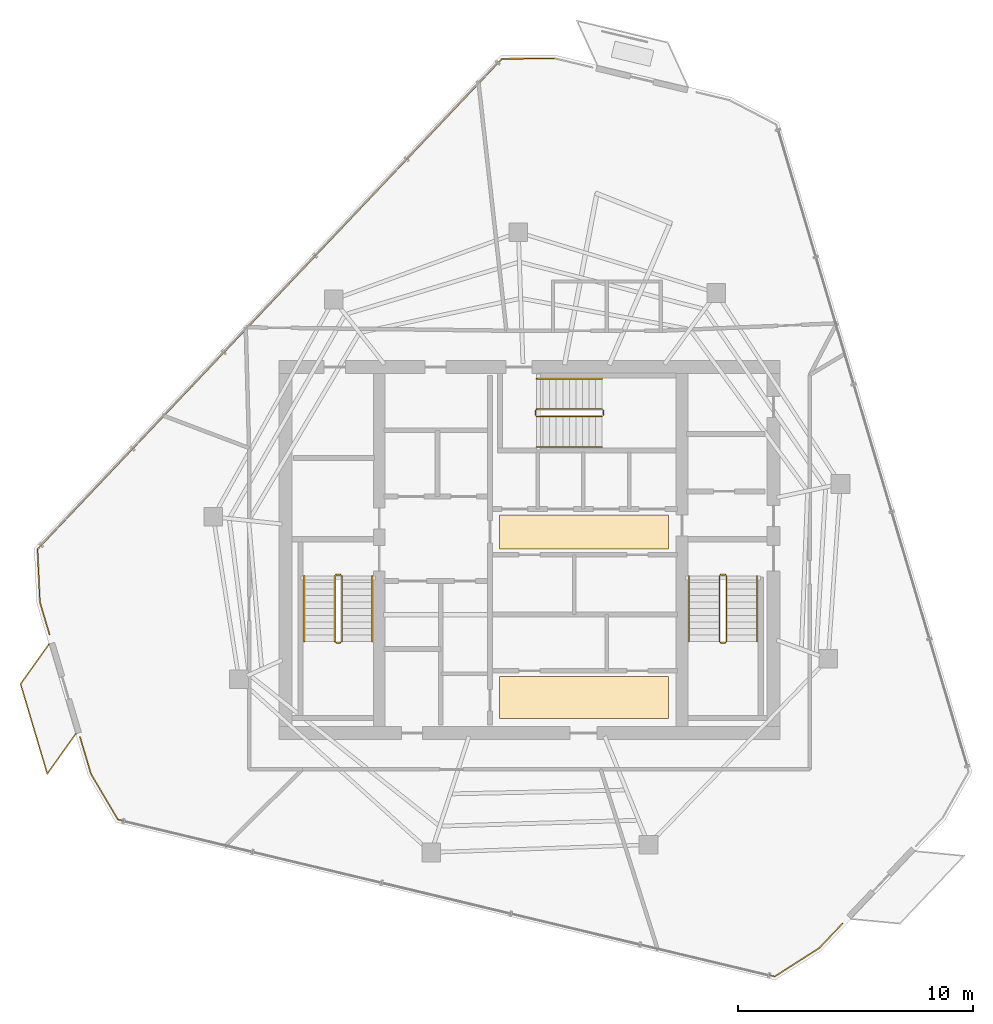
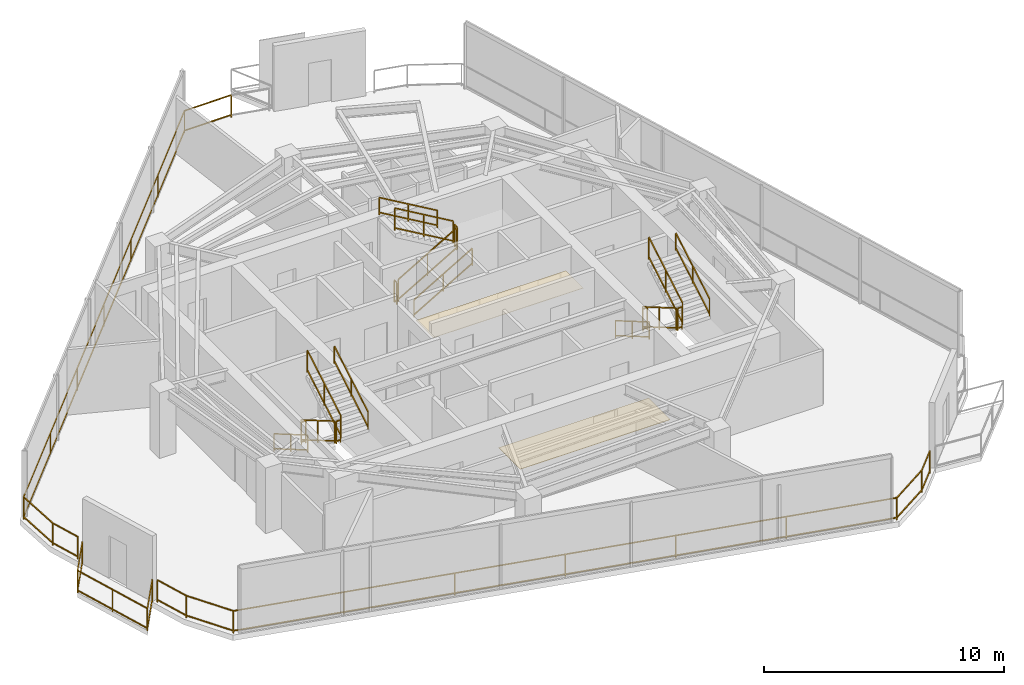
# One storey, part 17 of 18: 21 railings, 2 coverings.
"""IFC4 building model written with IfcOpenShell, lengths in metres."""

from ifc_helpers import new_model, si_unit, direction, frame, origin, origin_2d, place, context, subcontext, project, spatial, rectangle, extrude, material, layer, layer_set, type_object, element, save


model = new_model("IFC4")

# Units and contexts
model_context = context("Model", 3, precision=1e-05, world=origin(), true_north=direction((0.0, 1.0)))
body_context = subcontext(model_context, "Body", "Model", "MODEL_VIEW")
ifc_project = project(units=[si_unit("LENGTHUNIT", "METRE"), si_unit("AREAUNIT", "SQUARE_METRE"), si_unit("VOLUMEUNIT", "CUBIC_METRE"), si_unit("PLANEANGLEUNIT", "RADIAN"), si_unit("MASSUNIT", "GRAM", prefix="KILO")], contexts=[model_context])

# Site, building, storey
site_placement = place(None, origin())
site = spatial("IfcSite", under=ifc_project, at=site_placement, CompositionType="ELEMENT")
building_placement = place(site_placement, origin())
building = spatial("IfcBuilding", under=site, at=building_placement, Name="Qarnah Convention Tower", CompositionType="ELEMENT")
storey_placement = place(building_placement, frame((0.0, 0.0, 242.699951171875)))
storey = spatial("IfcBuildingStorey", under=building, at=storey_placement, Name="L65", CompositionType="ELEMENT", Elevation=242.699951171875)

# Coverings
ifc_material_1 = material(Name="Mineral fibre acoustic ceiling")
ifc_layer_1 = layer(ifc_material_1, 0.02001953125)
ifc_layer_set_1 = layer_set([ifc_layer_1], Name="Mineral fibre acoustic ceiling")
covering_type_1 = type_object("IfcCoveringType", Name="COV-CEIL-20", PredefinedType="CEILING", material=ifc_layer_set_1)
covering_1_placement = place(storey_placement, frame((39.52001953125, 27.179931640625, 2.2900390625), z_axis=(0.0, 0.0, 1.0), x_axis=(1.0, 0.0, 0.0)))
element("IfcCovering", 1, at=covering_1_placement, inside=storey, type_object=covering_type_1, Name="L65 lift lobby acoustic ceiling", PredefinedType="CEILING", context=body_context, shape_type="SweptSolid", body=[
    extrude(rectangle(XDim=7.199951171875, YDim=1.449951171875, at=origin_2d()), origin(), (0.0, 0.0, 1.0), 0.02001953125),
])
ifc_material_2 = material(Name="Porcelain stone floor tile", Category="masonry")
ifc_layer_2 = layer(ifc_material_2, 0.02001953125)
ifc_layer_set_2 = layer_set([ifc_layer_2], Name="Porcelain stone floor tile")
covering_type_2 = type_object("IfcCoveringType", Name="COV-FLOOR-20", PredefinedType="FLOORING", material=ifc_layer_set_2)
covering_2_placement = place(storey_placement, frame((39.52001953125, 20.1201171875, 0.0), z_axis=(0.0, 0.0, 1.0), x_axis=(1.0, 0.0, 0.0)))
element("IfcCovering", 2, at=covering_2_placement, inside=storey, type_object=covering_type_2, Name="L65 lift lobby porcelain stone flooring", PredefinedType="FLOORING", context=body_context, shape_type="SweptSolid", body=[
    extrude(rectangle(XDim=7.199951171875, YDim=1.800048828125, at=origin_2d()), origin(), (0.0, 0.0, 1.0), 0.02001953125),
])

# Railings
ifc_material_3 = material(Name="Black anodised aluminium", Category="aluminium")
railing_type_1 = type_object("IfcRailingType", Name="RL-EXT-GUARD-1150", PredefinedType="GUARDRAIL", material=ifc_material_3)
railing_1_placement = place(storey_placement, frame((50.54296875, 10.48193359375, 0.0)))
element("IfcRailing", 3, at=railing_1_placement, inside=storey, type_object=railing_type_1, Name="L65 slab-edge perimeter safety guard 03", PredefinedType="GUARDRAIL", context=body_context, shape_type="SweptSolid", body=[
    extrude(rectangle(XDim=0.048095703125, YDim=0.048095703125, at=origin_2d()), frame((0.0, 0.0, 1.1259765625), z_axis=(-0.687749356921, -0.725948222709, 0.0), x_axis=(0.725948222709, -0.687749356921, 0.0)), (0.0, 0.0, 1.0), 1.43798828125),
    extrude(rectangle(XDim=0.048095703125, YDim=0.048095703125, at=origin_2d()), frame((0.0, 0.0, 0.1201171875), z_axis=(-0.687749356921, -0.725948222709, 0.0), x_axis=(0.725948222709, -0.687749356921, 0.0)), (0.0, 0.0, 1.0), 1.43798828125),
    extrude(rectangle(XDim=0.048095703125, YDim=0.048095703125, at=origin_2d()), frame((-0.989013671875, -1.0439453125, 1.1259765625), z_axis=(-0.842884582221, -0.538094397902, 0.0), x_axis=(0.538094397902, -0.842884582221, 0.0)), (0.0, 0.0, 1.0), 2.254150390625),
    extrude(rectangle(XDim=0.048095703125, YDim=0.048095703125, at=origin_2d()), frame((-0.989013671875, -1.0439453125, 0.1201171875), z_axis=(-0.842884582221, -0.538094397902, 0.0), x_axis=(0.538094397902, -0.842884582221, 0.0)), (0.0, 0.0, 1.0), 2.254150390625),
    extrude(rectangle(XDim=0.048095703125, YDim=0.048095703125, at=origin_2d()), frame((-2.888916015625, -2.2568359375, 1.1259765625), z_axis=(-0.972616415456, 0.232416239503, 0.0), x_axis=(-0.232416239503, -0.972616415456, 0.0)), (0.0, 0.0, 1.0), 28.784423828125),
    extrude(rectangle(XDim=0.048095703125, YDim=0.048095703125, at=origin_2d()), frame((-2.888916015625, -2.2568359375, 0.1201171875), z_axis=(-0.972616415456, 0.232416239503, 0.0), x_axis=(-0.232416239503, -0.972616415456, 0.0)), (0.0, 0.0, 1.0), 28.784423828125),
    extrude(rectangle(XDim=0.048095703125, YDim=0.048095703125, at=origin_2d()), frame((-30.885009765625, 4.43310546875, 1.1259765625), z_axis=(-0.508430047028, 0.861103296521, 0.0), x_axis=(-0.861103296521, -0.508430047028, 0.0)), (0.0, 0.0, 1.0), 2.25390625),
    extrude(rectangle(XDim=0.048095703125, YDim=0.048095703125, at=origin_2d()), frame((-30.885009765625, 4.43310546875, 0.1201171875), z_axis=(-0.508430047028, 0.861103296521, 0.0), x_axis=(-0.861103296521, -0.508430047028, 0.0)), (0.0, 0.0, 1.0), 2.25390625),
    extrude(rectangle(XDim=0.048095703125, YDim=0.048095703125, at=origin_2d()), frame((-32.031005859375, 6.3740234375, 1.1259765625), z_axis=(-0.28492983675, 0.958548375477, 0.0), x_axis=(-0.958548375477, -0.28492983675, 0.0)), (0.0, 0.0, 1.0), 1.6494140625),
    extrude(rectangle(XDim=0.048095703125, YDim=0.048095703125, at=origin_2d()), frame((-32.031005859375, 6.3740234375, 0.1201171875), z_axis=(-0.28492983675, 0.958548375477, 0.0), x_axis=(-0.958548375477, -0.28492983675, 0.0)), (0.0, 0.0, 1.0), 1.6494140625),
    extrude(rectangle(XDim=0.0419921875, YDim=0.0419921875, at=origin_2d()), origin(), (0.0, 0.0, 1.0), 1.101806640625),
    extrude(rectangle(XDim=0.0419921875, YDim=0.0419921875, at=origin_2d()), frame((-0.989013671875, -1.0439453125, 0.0)), (0.0, 0.0, 1.0), 1.101806640625),
    extrude(rectangle(XDim=0.0419921875, YDim=0.0419921875, at=origin_2d()), frame((-2.888916015625, -2.2568359375, 0.0)), (0.0, 0.0, 1.0), 1.101806640625),
    extrude(rectangle(XDim=0.0419921875, YDim=0.0419921875, at=origin_2d()), frame((-7.554931640625, -1.141845703125, 0.0)), (0.0, 0.0, 1.0), 1.101806640625),
    extrude(rectangle(XDim=0.0419921875, YDim=0.0419921875, at=origin_2d()), frame((-12.220947265625, -0.02685546875, 0.0)), (0.0, 0.0, 1.0), 1.101806640625),
    extrude(rectangle(XDim=0.0419921875, YDim=0.0419921875, at=origin_2d()), frame((-16.886962890625, 1.088134765625, 0.0)), (0.0, 0.0, 1.0), 1.101806640625),
    extrude(rectangle(XDim=0.0419921875, YDim=0.0419921875, at=origin_2d()), frame((-21.552978515625, 2.203125, 0.0)), (0.0, 0.0, 1.0), 1.101806640625),
    extrude(rectangle(XDim=0.0419921875, YDim=0.0419921875, at=origin_2d()), frame((-26.218994140625, 3.318115234375, 0.0)), (0.0, 0.0, 1.0), 1.101806640625),
    extrude(rectangle(XDim=0.0419921875, YDim=0.0419921875, at=origin_2d()), frame((-30.885009765625, 4.43310546875, 0.0)), (0.0, 0.0, 1.0), 1.101806640625),
    extrude(rectangle(XDim=0.0419921875, YDim=0.0419921875, at=origin_2d()), frame((-32.031005859375, 6.3740234375, 0.0)), (0.0, 0.0, 1.0), 1.101806640625),
    extrude(rectangle(XDim=0.0419921875, YDim=0.0419921875, at=origin_2d()), frame((-32.5009765625, 7.955078125, 0.0)), (0.0, 0.0, 1.0), 1.101806640625),
])
railing_2_placement = place(storey_placement, frame((16.742919921875, 22.805908203125, 0.0)))
element("IfcRailing", 4, at=railing_2_placement, inside=storey, type_object=railing_type_1, Name="L65 slab-edge perimeter safety guard 04", PredefinedType="GUARDRAIL", context=body_context, shape_type="SweptSolid", body=[
    extrude(rectangle(XDim=0.048095703125, YDim=0.048095703125, at=origin_2d()), frame((0.0, 0.0, 1.1259765625), z_axis=(-0.284881574893, 0.958562720059, 0.0), x_axis=(-0.958562720059, -0.284881574893, 0.0)), (0.0, 0.0, 1.0), 1.435546875),
    extrude(rectangle(XDim=0.048095703125, YDim=0.048095703125, at=origin_2d()), frame((0.0, 0.0, 0.1201171875), z_axis=(-0.284881574893, 0.958562720059, 0.0), x_axis=(-0.958562720059, -0.284881574893, 0.0)), (0.0, 0.0, 1.0), 1.435546875),
    extrude(rectangle(XDim=0.048095703125, YDim=0.048095703125, at=origin_2d()), frame((-0.408935546875, 1.3759765625, 1.1259765625), z_axis=(-0.044832923855, 0.998994498953, 0.0), x_axis=(-0.998994498953, -0.044832923855, 0.0)), (0.0, 0.0, 1.0), 2.25439453125),
    extrude(rectangle(XDim=0.048095703125, YDim=0.048095703125, at=origin_2d()), frame((-0.408935546875, 1.3759765625, 0.1201171875), z_axis=(-0.044832923855, 0.998994498953, 0.0), x_axis=(-0.998994498953, -0.044832923855, 0.0)), (0.0, 0.0, 1.0), 2.25439453125),
    extrude(rectangle(XDim=0.048095703125, YDim=0.048095703125, at=origin_2d()), frame((-0.510009765625, 3.628173828125, 1.1259765625), z_axis=(0.68758277549, 0.726106002488, 0.0), x_axis=(-0.726106002488, 0.68758277549, 0.0)), (0.0, 0.0, 1.0), 28.784912109375),
    extrude(rectangle(XDim=0.048095703125, YDim=0.048095703125, at=origin_2d()), frame((-0.510009765625, 3.628173828125, 0.1201171875), z_axis=(0.68758277549, 0.726106002488, 0.0), x_axis=(-0.726106002488, 0.68758277549, 0.0)), (0.0, 0.0, 1.0), 28.784912109375),
    extrude(rectangle(XDim=0.048095703125, YDim=0.048095703125, at=origin_2d()), frame((19.281982421875, 24.529052734375, 1.1259765625), z_axis=(0.999956623653, 0.009314011658, 0.0), x_axis=(-0.009314011658, 0.999956623653, 0.0)), (0.0, 0.0, 1.0), 2.254150390625),
    extrude(rectangle(XDim=0.048095703125, YDim=0.048095703125, at=origin_2d()), frame((19.281982421875, 24.529052734375, 0.1201171875), z_axis=(0.999956623653, 0.009314011658, 0.0), x_axis=(-0.009314011658, 0.999956623653, 0.0)), (0.0, 0.0, 1.0), 2.254150390625),
    extrude(rectangle(XDim=0.0419921875, YDim=0.0419921875, at=origin_2d()), origin(), (0.0, 0.0, 1.0), 1.101806640625),
    extrude(rectangle(XDim=0.0419921875, YDim=0.0419921875, at=origin_2d()), frame((-0.408935546875, 1.3759765625, 0.0)), (0.0, 0.0, 1.0), 1.101806640625),
    extrude(rectangle(XDim=0.0419921875, YDim=0.0419921875, at=origin_2d()), frame((-0.510009765625, 3.628173828125, 0.0)), (0.0, 0.0, 1.0), 1.101806640625),
    extrude(rectangle(XDim=0.0419921875, YDim=0.0419921875, at=origin_2d()), frame((2.78857421875, 7.111572265625, 0.0)), (0.0, 0.0, 1.0), 1.101806640625),
    extrude(rectangle(XDim=0.0419921875, YDim=0.0419921875, at=origin_2d()), frame((6.08740234375, 10.59521484375, 0.0)), (0.0, 0.0, 1.0), 1.101806640625),
    extrude(rectangle(XDim=0.0419921875, YDim=0.0419921875, at=origin_2d()), frame((9.385986328125, 14.07861328125, 0.0)), (0.0, 0.0, 1.0), 1.101806640625),
    extrude(rectangle(XDim=0.0419921875, YDim=0.0419921875, at=origin_2d()), frame((12.6845703125, 17.56201171875, 0.0)), (0.0, 0.0, 1.0), 1.101806640625),
    extrude(rectangle(XDim=0.0419921875, YDim=0.0419921875, at=origin_2d()), frame((15.9833984375, 21.045654296875, 0.0)), (0.0, 0.0, 1.0), 1.101806640625),
    extrude(rectangle(XDim=0.0419921875, YDim=0.0419921875, at=origin_2d()), frame((19.281982421875, 24.529052734375, 0.0)), (0.0, 0.0, 1.0), 1.101806640625),
    extrude(rectangle(XDim=0.0419921875, YDim=0.0419921875, at=origin_2d()), frame((21.5361328125, 24.550048828125, 0.0)), (0.0, 0.0, 1.0), 1.101806640625),
])
railing_3_placement = place(storey_placement, frame((17.863037109375, 18.56396484375, 0.0)))
element("IfcRailing", 5, at=railing_3_placement, inside=storey, type_object=railing_type_1, Name="L65 balcony safety guard BAL-L65-C2", PredefinedType="GUARDRAIL", context=body_context, shape_type="SweptSolid", body=[
    extrude(rectangle(XDim=0.048095703125, YDim=0.048095703125, at=origin_2d()), frame((0.0, 0.0, 1.1259765625), z_axis=(-0.579814561549, -0.814748472975, 0.0), x_axis=(0.814748472975, -0.579814561549, 0.0)), (0.0, 0.0, 1.0), 2.093994140625),
    extrude(rectangle(XDim=0.048095703125, YDim=0.048095703125, at=origin_2d()), frame((0.0, 0.0, 0.1201171875), z_axis=(-0.579814561549, -0.814748472975, 0.0), x_axis=(0.814748472975, -0.579814561549, 0.0)), (0.0, 0.0, 1.0), 2.093994140625),
    extrude(rectangle(XDim=0.048095703125, YDim=0.048095703125, at=origin_2d()), frame((-1.214111328125, -1.7060546875, 1.1259765625), z_axis=(-0.284983909312, 0.958532300673, 0.0), x_axis=(-0.958532300673, -0.284983909312, 0.0)), (0.0, 0.0, 1.0), 3.999755859375),
    extrude(rectangle(XDim=0.048095703125, YDim=0.048095703125, at=origin_2d()), frame((-1.214111328125, -1.7060546875, 0.1201171875), z_axis=(-0.284983909312, 0.958532300673, 0.0), x_axis=(-0.958532300673, -0.284983909312, 0.0)), (0.0, 0.0, 1.0), 3.999755859375),
    extrude(rectangle(XDim=0.048095703125, YDim=0.048095703125, at=origin_2d()), frame((-2.35400390625, 2.1279296875, 1.1259765625), z_axis=(0.579737157834, 0.814803551678, 0.0), x_axis=(-0.814803551678, 0.579737157834, 0.0)), (0.0, 0.0, 1.0), 2.09375),
    extrude(rectangle(XDim=0.048095703125, YDim=0.048095703125, at=origin_2d()), frame((-2.35400390625, 2.1279296875, 0.1201171875), z_axis=(0.579737157834, 0.814803551678, 0.0), x_axis=(-0.814803551678, 0.579737157834, 0.0)), (0.0, 0.0, 1.0), 2.09375),
    extrude(rectangle(XDim=0.0419921875, YDim=0.0419921875, at=origin_2d()), origin(), (0.0, 0.0, 1.0), 1.101806640625),
    extrude(rectangle(XDim=0.0419921875, YDim=0.0419921875, at=origin_2d()), frame((-1.214111328125, -1.7060546875, 0.0)), (0.0, 0.0, 1.0), 1.101806640625),
    extrude(rectangle(XDim=0.0419921875, YDim=0.0419921875, at=origin_2d()), frame((-1.7841796875, 0.2109375, 0.0)), (0.0, 0.0, 1.0), 1.101806640625),
    extrude(rectangle(XDim=0.0419921875, YDim=0.0419921875, at=origin_2d()), frame((-2.35400390625, 2.1279296875, 0.0)), (0.0, 0.0, 1.0), 1.101806640625),
    extrude(rectangle(XDim=0.0419921875, YDim=0.0419921875, at=origin_2d()), frame((-1.14013671875, 3.833984375, 0.0)), (0.0, 0.0, 1.0), 1.101806640625),
])
ifc_material_4 = material(Name="Structural steel S355JR", Category="steel")
railing_type_2 = type_object("IfcRailingType", Name="RL-STAIR-GUARD-1150", PredefinedType="GUARDRAIL", material=ifc_material_4)
railing_4_placement = place(storey_placement, frame((28.89990234375, 25.300048828125, 0.16357421875)))
element("IfcRailing", 6, at=railing_4_placement, inside=storey, type_object=railing_type_2, Name="L65 ST-1 stair guard 1", PredefinedType="GUARDRAIL", context=body_context, shape_type="SweptSolid", body=[
    extrude(rectangle(XDim=0.048095703125, YDim=0.048095703125, at=origin_2d()), frame((0.0, 0.0, 1.1259765625), z_axis=(0.0, -0.863360870873, 0.504586966384), x_axis=(1.0, 0.0, 0.0)), (0.0, 0.0, 1.0), 3.2431640625),
    extrude(rectangle(XDim=0.048095703125, YDim=0.048095703125, at=origin_2d()), frame((0.0, 0.0, 0.1201171875), z_axis=(0.0, -0.863360870873, 0.504586966384), x_axis=(1.0, 0.0, 0.0)), (0.0, 0.0, 1.0), 3.2431640625),
    extrude(rectangle(XDim=0.0419921875, YDim=0.0419921875, at=origin_2d()), origin(), (0.0, 0.0, 1.0), 1.101806640625),
    extrude(rectangle(XDim=0.0419921875, YDim=0.0419921875, at=origin_2d()), frame((0.0, -1.39990234375, 0.818359375)), (0.0, 0.0, 1.0), 1.101806640625),
    extrude(rectangle(XDim=0.0419921875, YDim=0.0419921875, at=origin_2d()), frame((0.0, -2.800048828125, 1.636474609375)), (0.0, 0.0, 1.0), 1.101806640625),
])
railing_5_placement = place(storey_placement, frame((28.949951171875, 22.449951171875, 1.800048828125)))
element("IfcRailing", 7, at=railing_5_placement, inside=storey, type_object=railing_type_2, Name="L65 ST-1 stair guard 2", PredefinedType="GUARDRAIL", context=body_context, shape_type="SweptSolid", body=[
    extrude(rectangle(XDim=0.048095703125, YDim=0.048095703125, at=origin_2d()), frame((0.0, 0.0, 1.1259765625), z_axis=(1.0, 0.0, 0.0), x_axis=(0.0, 1.0, 0.0)), (0.0, 0.0, 1.0), 0.199951171875),
    extrude(rectangle(XDim=0.048095703125, YDim=0.048095703125, at=origin_2d()), frame((0.0, 0.0, 0.1201171875), z_axis=(1.0, 0.0, 0.0), x_axis=(0.0, 1.0, 0.0)), (0.0, 0.0, 1.0), 0.199951171875),
    extrude(rectangle(XDim=0.0419921875, YDim=0.0419921875, at=origin_2d()), origin(), (0.0, 0.0, 1.0), 1.101806640625),
    extrude(rectangle(XDim=0.0419921875, YDim=0.0419921875, at=origin_2d()), frame((0.199951171875, 0.0, 0.0)), (0.0, 0.0, 1.0), 1.101806640625),
])
railing_6_placement = place(storey_placement, frame((29.199951171875, 22.5, 1.963623046875)))
element("IfcRailing", 8, at=railing_6_placement, inside=storey, type_object=railing_type_2, Name="L65 ST-1 stair guard 3", PredefinedType="GUARDRAIL", context=body_context, shape_type="SweptSolid", body=[
    extrude(rectangle(XDim=0.048095703125, YDim=0.048095703125, at=origin_2d()), frame((0.0, 0.0, 1.1259765625), z_axis=(0.0, 0.863360870873, 0.504586966384), x_axis=(-1.0, 0.0, 0.0)), (0.0, 0.0, 1.0), 3.2431640625),
    extrude(rectangle(XDim=0.048095703125, YDim=0.048095703125, at=origin_2d()), frame((0.0, 0.0, 0.1201171875), z_axis=(0.0, 0.863360870873, 0.504586966384), x_axis=(-1.0, 0.0, 0.0)), (0.0, 0.0, 1.0), 3.2431640625),
    extrude(rectangle(XDim=0.0419921875, YDim=0.0419921875, at=origin_2d()), origin(), (0.0, 0.0, 1.0), 1.101806640625),
    extrude(rectangle(XDim=0.0419921875, YDim=0.0419921875, at=origin_2d()), frame((0.0, 1.39990234375, 0.818359375)), (0.0, 0.0, 1.0), 1.101806640625),
    extrude(rectangle(XDim=0.0419921875, YDim=0.0419921875, at=origin_2d()), frame((0.0, 2.800048828125, 1.636474609375)), (0.0, 0.0, 1.0), 1.101806640625),
])
railing_7_placement = place(storey_placement, frame((28.949951171875, 25.35009765625, 0.0)))
element("IfcRailing", 9, at=railing_7_placement, inside=storey, type_object=railing_type_2, Name="L65 ST-1 stair guard 4", PredefinedType="GUARDRAIL", context=body_context, shape_type="SweptSolid", body=[
    extrude(rectangle(XDim=0.048095703125, YDim=0.048095703125, at=origin_2d()), frame((0.0, 0.0, 1.1259765625), z_axis=(1.0, 0.0, 0.0), x_axis=(0.0, 1.0, 0.0)), (0.0, 0.0, 1.0), 0.199951171875),
    extrude(rectangle(XDim=0.048095703125, YDim=0.048095703125, at=origin_2d()), frame((0.0, 0.0, 0.1201171875), z_axis=(1.0, 0.0, 0.0), x_axis=(0.0, 1.0, 0.0)), (0.0, 0.0, 1.0), 0.199951171875),
    extrude(rectangle(XDim=0.0419921875, YDim=0.0419921875, at=origin_2d()), origin(), (0.0, 0.0, 1.0), 1.101806640625),
    extrude(rectangle(XDim=0.0419921875, YDim=0.0419921875, at=origin_2d()), frame((0.199951171875, 0.0, 0.0)), (0.0, 0.0, 1.0), 1.101806640625),
])
railing_8_placement = place(storey_placement, frame((45.300048828125, 25.300048828125, 0.16357421875)))
element("IfcRailing", 10, at=railing_8_placement, inside=storey, type_object=railing_type_2, Name="L65 ST-2 stair guard 1", PredefinedType="GUARDRAIL", context=body_context, shape_type="SweptSolid", body=[
    extrude(rectangle(XDim=0.048095703125, YDim=0.048095703125, at=origin_2d()), frame((0.0, 0.0, 1.1259765625), z_axis=(0.0, -0.863360870873, 0.504586966384), x_axis=(1.0, 0.0, 0.0)), (0.0, 0.0, 1.0), 3.2431640625),
    extrude(rectangle(XDim=0.048095703125, YDim=0.048095703125, at=origin_2d()), frame((0.0, 0.0, 0.1201171875), z_axis=(0.0, -0.863360870873, 0.504586966384), x_axis=(1.0, 0.0, 0.0)), (0.0, 0.0, 1.0), 3.2431640625),
    extrude(rectangle(XDim=0.0419921875, YDim=0.0419921875, at=origin_2d()), origin(), (0.0, 0.0, 1.0), 1.101806640625),
    extrude(rectangle(XDim=0.0419921875, YDim=0.0419921875, at=origin_2d()), frame((0.0, -1.39990234375, 0.818359375)), (0.0, 0.0, 1.0), 1.101806640625),
    extrude(rectangle(XDim=0.0419921875, YDim=0.0419921875, at=origin_2d()), frame((0.0, -2.800048828125, 1.636474609375)), (0.0, 0.0, 1.0), 1.101806640625),
])
railing_9_placement = place(storey_placement, frame((45.35009765625, 22.449951171875, 1.800048828125)))
element("IfcRailing", 11, at=railing_9_placement, inside=storey, type_object=railing_type_2, Name="L65 ST-2 stair guard 2", PredefinedType="GUARDRAIL", context=body_context, shape_type="SweptSolid", body=[
    extrude(rectangle(XDim=0.048095703125, YDim=0.048095703125, at=origin_2d()), frame((0.0, 0.0, 1.1259765625), z_axis=(1.0, 0.0, 0.0), x_axis=(0.0, 1.0, 0.0)), (0.0, 0.0, 1.0), 0.199951171875),
    extrude(rectangle(XDim=0.048095703125, YDim=0.048095703125, at=origin_2d()), frame((0.0, 0.0, 0.1201171875), z_axis=(1.0, 0.0, 0.0), x_axis=(0.0, 1.0, 0.0)), (0.0, 0.0, 1.0), 0.199951171875),
    extrude(rectangle(XDim=0.0419921875, YDim=0.0419921875, at=origin_2d()), origin(), (0.0, 0.0, 1.0), 1.101806640625),
    extrude(rectangle(XDim=0.0419921875, YDim=0.0419921875, at=origin_2d()), frame((0.199951171875, 0.0, 0.0)), (0.0, 0.0, 1.0), 1.101806640625),
])
railing_10_placement = place(storey_placement, frame((45.60009765625, 22.5, 1.963623046875)))
element("IfcRailing", 12, at=railing_10_placement, inside=storey, type_object=railing_type_2, Name="L65 ST-2 stair guard 3", PredefinedType="GUARDRAIL", context=body_context, shape_type="SweptSolid", body=[
    extrude(rectangle(XDim=0.048095703125, YDim=0.048095703125, at=origin_2d()), frame((0.0, 0.0, 1.1259765625), z_axis=(0.0, 0.863360870873, 0.504586966384), x_axis=(-1.0, 0.0, 0.0)), (0.0, 0.0, 1.0), 3.2431640625),
    extrude(rectangle(XDim=0.048095703125, YDim=0.048095703125, at=origin_2d()), frame((0.0, 0.0, 0.1201171875), z_axis=(0.0, 0.863360870873, 0.504586966384), x_axis=(-1.0, 0.0, 0.0)), (0.0, 0.0, 1.0), 3.2431640625),
    extrude(rectangle(XDim=0.0419921875, YDim=0.0419921875, at=origin_2d()), origin(), (0.0, 0.0, 1.0), 1.101806640625),
    extrude(rectangle(XDim=0.0419921875, YDim=0.0419921875, at=origin_2d()), frame((0.0, 1.39990234375, 0.818359375)), (0.0, 0.0, 1.0), 1.101806640625),
    extrude(rectangle(XDim=0.0419921875, YDim=0.0419921875, at=origin_2d()), frame((0.0, 2.800048828125, 1.636474609375)), (0.0, 0.0, 1.0), 1.101806640625),
])
railing_11_placement = place(storey_placement, frame((45.35009765625, 25.35009765625, 0.0)))
element("IfcRailing", 13, at=railing_11_placement, inside=storey, type_object=railing_type_2, Name="L65 ST-2 stair guard 4", PredefinedType="GUARDRAIL", context=body_context, shape_type="SweptSolid", body=[
    extrude(rectangle(XDim=0.048095703125, YDim=0.048095703125, at=origin_2d()), frame((0.0, 0.0, 1.1259765625), z_axis=(1.0, 0.0, 0.0), x_axis=(0.0, 1.0, 0.0)), (0.0, 0.0, 1.0), 0.199951171875),
    extrude(rectangle(XDim=0.048095703125, YDim=0.048095703125, at=origin_2d()), frame((0.0, 0.0, 0.1201171875), z_axis=(1.0, 0.0, 0.0), x_axis=(0.0, 1.0, 0.0)), (0.0, 0.0, 1.0), 0.199951171875),
    extrude(rectangle(XDim=0.0419921875, YDim=0.0419921875, at=origin_2d()), origin(), (0.0, 0.0, 1.0), 1.101806640625),
    extrude(rectangle(XDim=0.0419921875, YDim=0.0419921875, at=origin_2d()), frame((0.199951171875, 0.0, 0.0)), (0.0, 0.0, 1.0), 1.101806640625),
])
railing_12_placement = place(storey_placement, frame((37.5, 32.10009765625, 0.16357421875)))
element("IfcRailing", 14, at=railing_12_placement, inside=storey, type_object=railing_type_2, Name="L65 ST-3 stair guard 1", PredefinedType="GUARDRAIL", context=body_context, shape_type="SweptSolid", body=[
    extrude(rectangle(XDim=0.048095703125, YDim=0.048095703125, at=origin_2d()), frame((0.0, 0.0, 1.1259765625), z_axis=(0.863360870873, 0.0, 0.504586966384), x_axis=(0.0, 1.0, 0.0)), (0.0, 0.0, 1.0), 3.2431640625),
    extrude(rectangle(XDim=0.048095703125, YDim=0.048095703125, at=origin_2d()), frame((0.0, 0.0, 0.1201171875), z_axis=(0.863360870873, 0.0, 0.504586966384), x_axis=(0.0, 1.0, 0.0)), (0.0, 0.0, 1.0), 3.2431640625),
    extrude(rectangle(XDim=0.0419921875, YDim=0.0419921875, at=origin_2d()), origin(), (0.0, 0.0, 1.0), 1.101806640625),
    extrude(rectangle(XDim=0.0419921875, YDim=0.0419921875, at=origin_2d()), frame((1.39990234375, 0.0, 0.818359375)), (0.0, 0.0, 1.0), 1.101806640625),
    extrude(rectangle(XDim=0.0419921875, YDim=0.0419921875, at=origin_2d()), frame((2.800048828125, 0.0, 1.636474609375)), (0.0, 0.0, 1.0), 1.101806640625),
])
railing_13_placement = place(storey_placement, frame((40.35009765625, 32.14990234375, 1.800048828125)))
element("IfcRailing", 15, at=railing_13_placement, inside=storey, type_object=railing_type_2, Name="L65 ST-3 stair guard 2", PredefinedType="GUARDRAIL", context=body_context, shape_type="SweptSolid", body=[
    extrude(rectangle(XDim=0.048095703125, YDim=0.048095703125, at=origin_2d()), frame((0.0, 0.0, 1.1259765625), z_axis=(0.0, 1.0, 0.0), x_axis=(-1.0, 0.0, 0.0)), (0.0, 0.0, 1.0), 0.2001953125),
    extrude(rectangle(XDim=0.048095703125, YDim=0.048095703125, at=origin_2d()), frame((0.0, 0.0, 0.1201171875), z_axis=(0.0, 1.0, 0.0), x_axis=(-1.0, 0.0, 0.0)), (0.0, 0.0, 1.0), 0.2001953125),
    extrude(rectangle(XDim=0.0419921875, YDim=0.0419921875, at=origin_2d()), origin(), (0.0, 0.0, 1.0), 1.101806640625),
    extrude(rectangle(XDim=0.0419921875, YDim=0.0419921875, at=origin_2d()), frame((0.0, 0.2001953125, 0.0)), (0.0, 0.0, 1.0), 1.101806640625),
])
railing_14_placement = place(storey_placement, frame((40.300048828125, 32.39990234375, 1.963623046875)))
element("IfcRailing", 16, at=railing_14_placement, inside=storey, type_object=railing_type_2, Name="L65 ST-3 stair guard 3", PredefinedType="GUARDRAIL", context=body_context, shape_type="SweptSolid", body=[
    extrude(rectangle(XDim=0.048095703125, YDim=0.048095703125, at=origin_2d()), frame((0.0, 0.0, 1.1259765625), z_axis=(-0.863360870873, 0.0, 0.504586966384), x_axis=(0.0, -1.0, 0.0)), (0.0, 0.0, 1.0), 3.2431640625),
    extrude(rectangle(XDim=0.048095703125, YDim=0.048095703125, at=origin_2d()), frame((0.0, 0.0, 0.1201171875), z_axis=(-0.863360870873, 0.0, 0.504586966384), x_axis=(0.0, -1.0, 0.0)), (0.0, 0.0, 1.0), 3.2431640625),
    extrude(rectangle(XDim=0.0419921875, YDim=0.0419921875, at=origin_2d()), origin(), (0.0, 0.0, 1.0), 1.101806640625),
    extrude(rectangle(XDim=0.0419921875, YDim=0.0419921875, at=origin_2d()), frame((-1.39990234375, 0.0, 0.818359375)), (0.0, 0.0, 1.0), 1.101806640625),
    extrude(rectangle(XDim=0.0419921875, YDim=0.0419921875, at=origin_2d()), frame((-2.800048828125, 0.0, 1.636474609375)), (0.0, 0.0, 1.0), 1.101806640625),
])
railing_15_placement = place(storey_placement, frame((37.449951171875, 32.14990234375, 0.0)))
element("IfcRailing", 17, at=railing_15_placement, inside=storey, type_object=railing_type_2, Name="L65 ST-3 stair guard 4", PredefinedType="GUARDRAIL", context=body_context, shape_type="SweptSolid", body=[
    extrude(rectangle(XDim=0.048095703125, YDim=0.048095703125, at=origin_2d()), frame((0.0, 0.0, 1.1259765625), z_axis=(0.0, 1.0, 0.0), x_axis=(-1.0, 0.0, 0.0)), (0.0, 0.0, 1.0), 0.2001953125),
    extrude(rectangle(XDim=0.048095703125, YDim=0.048095703125, at=origin_2d()), frame((0.0, 0.0, 0.1201171875), z_axis=(0.0, 1.0, 0.0), x_axis=(-1.0, 0.0, 0.0)), (0.0, 0.0, 1.0), 0.2001953125),
    extrude(rectangle(XDim=0.0419921875, YDim=0.0419921875, at=origin_2d()), origin(), (0.0, 0.0, 1.0), 1.101806640625),
    extrude(rectangle(XDim=0.0419921875, YDim=0.0419921875, at=origin_2d()), frame((0.0, 0.2001953125, 0.0)), (0.0, 0.0, 1.0), 1.101806640625),
])
railing_type_3 = type_object("IfcRailingType", Name="RL-STAIR-HAND-900", PredefinedType="HANDRAIL", material=ifc_material_4)
railing_16_placement = place(storey_placement, frame((27.60009765625, 25.300048828125, 0.16357421875)))
element("IfcRailing", 18, at=railing_16_placement, inside=storey, type_object=railing_type_3, Name="L65 ST-1 stair handrail 1", PredefinedType="HANDRAIL", context=body_context, shape_type="SweptSolid", body=[
    extrude(rectangle(XDim=0.048095703125, YDim=0.048095703125, at=origin_2d()), frame((0.0, 0.0, 0.8759765625), z_axis=(0.0, -0.863360870873, 0.504586966384), x_axis=(1.0, 0.0, 0.0)), (0.0, 0.0, 1.0), 3.2431640625),
    extrude(rectangle(XDim=0.048095703125, YDim=0.048095703125, at=origin_2d()), frame((0.0, 0.0, 0.1201171875), z_axis=(0.0, -0.863360870873, 0.504586966384), x_axis=(1.0, 0.0, 0.0)), (0.0, 0.0, 1.0), 3.2431640625),
    extrude(rectangle(XDim=0.0419921875, YDim=0.0419921875, at=origin_2d()), origin(), (0.0, 0.0, 1.0), 0.851806640625),
    extrude(rectangle(XDim=0.0419921875, YDim=0.0419921875, at=origin_2d()), frame((0.0, -1.39990234375, 0.818359375)), (0.0, 0.0, 1.0), 0.851806640625),
    extrude(rectangle(XDim=0.0419921875, YDim=0.0419921875, at=origin_2d()), frame((0.0, -2.800048828125, 1.636474609375)), (0.0, 0.0, 1.0), 0.851806640625),
])
railing_17_placement = place(storey_placement, frame((30.5, 22.5, 1.963623046875)))
element("IfcRailing", 19, at=railing_17_placement, inside=storey, type_object=railing_type_3, Name="L65 ST-1 stair handrail 2", PredefinedType="HANDRAIL", context=body_context, shape_type="SweptSolid", body=[
    extrude(rectangle(XDim=0.048095703125, YDim=0.048095703125, at=origin_2d()), frame((0.0, 0.0, 0.8759765625), z_axis=(0.0, 0.863360870873, 0.504586966384), x_axis=(-1.0, 0.0, 0.0)), (0.0, 0.0, 1.0), 3.2431640625),
    extrude(rectangle(XDim=0.048095703125, YDim=0.048095703125, at=origin_2d()), frame((0.0, 0.0, 0.1201171875), z_axis=(0.0, 0.863360870873, 0.504586966384), x_axis=(-1.0, 0.0, 0.0)), (0.0, 0.0, 1.0), 3.2431640625),
    extrude(rectangle(XDim=0.0419921875, YDim=0.0419921875, at=origin_2d()), origin(), (0.0, 0.0, 1.0), 0.851806640625),
    extrude(rectangle(XDim=0.0419921875, YDim=0.0419921875, at=origin_2d()), frame((0.0, 1.39990234375, 0.818359375)), (0.0, 0.0, 1.0), 0.851806640625),
    extrude(rectangle(XDim=0.0419921875, YDim=0.0419921875, at=origin_2d()), frame((0.0, 2.800048828125, 1.636474609375)), (0.0, 0.0, 1.0), 0.851806640625),
])
railing_18_placement = place(storey_placement, frame((44.0, 25.300048828125, 0.16357421875)))
element("IfcRailing", 20, at=railing_18_placement, inside=storey, type_object=railing_type_3, Name="L65 ST-2 stair handrail 1", PredefinedType="HANDRAIL", context=body_context, shape_type="SweptSolid", body=[
    extrude(rectangle(XDim=0.048095703125, YDim=0.048095703125, at=origin_2d()), frame((0.0, 0.0, 0.8759765625), z_axis=(0.0, -0.863360870873, 0.504586966384), x_axis=(1.0, 0.0, 0.0)), (0.0, 0.0, 1.0), 3.2431640625),
    extrude(rectangle(XDim=0.048095703125, YDim=0.048095703125, at=origin_2d()), frame((0.0, 0.0, 0.1201171875), z_axis=(0.0, -0.863360870873, 0.504586966384), x_axis=(1.0, 0.0, 0.0)), (0.0, 0.0, 1.0), 3.2431640625),
    extrude(rectangle(XDim=0.0419921875, YDim=0.0419921875, at=origin_2d()), origin(), (0.0, 0.0, 1.0), 0.851806640625),
    extrude(rectangle(XDim=0.0419921875, YDim=0.0419921875, at=origin_2d()), frame((0.0, -1.39990234375, 0.818359375)), (0.0, 0.0, 1.0), 0.851806640625),
    extrude(rectangle(XDim=0.0419921875, YDim=0.0419921875, at=origin_2d()), frame((0.0, -2.800048828125, 1.636474609375)), (0.0, 0.0, 1.0), 0.851806640625),
])
railing_19_placement = place(storey_placement, frame((46.89990234375, 22.5, 1.963623046875)))
element("IfcRailing", 21, at=railing_19_placement, inside=storey, type_object=railing_type_3, Name="L65 ST-2 stair handrail 2", PredefinedType="HANDRAIL", context=body_context, shape_type="SweptSolid", body=[
    extrude(rectangle(XDim=0.048095703125, YDim=0.048095703125, at=origin_2d()), frame((0.0, 0.0, 0.8759765625), z_axis=(0.0, 0.863360870873, 0.504586966384), x_axis=(-1.0, 0.0, 0.0)), (0.0, 0.0, 1.0), 3.2431640625),
    extrude(rectangle(XDim=0.048095703125, YDim=0.048095703125, at=origin_2d()), frame((0.0, 0.0, 0.1201171875), z_axis=(0.0, 0.863360870873, 0.504586966384), x_axis=(-1.0, 0.0, 0.0)), (0.0, 0.0, 1.0), 3.2431640625),
    extrude(rectangle(XDim=0.0419921875, YDim=0.0419921875, at=origin_2d()), origin(), (0.0, 0.0, 1.0), 0.851806640625),
    extrude(rectangle(XDim=0.0419921875, YDim=0.0419921875, at=origin_2d()), frame((0.0, 1.39990234375, 0.818359375)), (0.0, 0.0, 1.0), 0.851806640625),
    extrude(rectangle(XDim=0.0419921875, YDim=0.0419921875, at=origin_2d()), frame((0.0, 2.800048828125, 1.636474609375)), (0.0, 0.0, 1.0), 0.851806640625),
])
railing_20_placement = place(storey_placement, frame((37.5, 30.800048828125, 0.16357421875)))
element("IfcRailing", 22, at=railing_20_placement, inside=storey, type_object=railing_type_3, Name="L65 ST-3 stair handrail 1", PredefinedType="HANDRAIL", context=body_context, shape_type="SweptSolid", body=[
    extrude(rectangle(XDim=0.048095703125, YDim=0.048095703125, at=origin_2d()), frame((0.0, 0.0, 0.8759765625), z_axis=(0.863360870873, 0.0, 0.504586966384), x_axis=(0.0, 1.0, 0.0)), (0.0, 0.0, 1.0), 3.2431640625),
    extrude(rectangle(XDim=0.048095703125, YDim=0.048095703125, at=origin_2d()), frame((0.0, 0.0, 0.1201171875), z_axis=(0.863360870873, 0.0, 0.504586966384), x_axis=(0.0, 1.0, 0.0)), (0.0, 0.0, 1.0), 3.2431640625),
    extrude(rectangle(XDim=0.0419921875, YDim=0.0419921875, at=origin_2d()), origin(), (0.0, 0.0, 1.0), 0.851806640625),
    extrude(rectangle(XDim=0.0419921875, YDim=0.0419921875, at=origin_2d()), frame((1.39990234375, 0.0, 0.818359375)), (0.0, 0.0, 1.0), 0.851806640625),
    extrude(rectangle(XDim=0.0419921875, YDim=0.0419921875, at=origin_2d()), frame((2.800048828125, 0.0, 1.636474609375)), (0.0, 0.0, 1.0), 0.851806640625),
])
railing_21_placement = place(storey_placement, frame((40.300048828125, 33.699951171875, 1.963623046875)))
element("IfcRailing", 23, at=railing_21_placement, inside=storey, type_object=railing_type_3, Name="L65 ST-3 stair handrail 2", PredefinedType="HANDRAIL", context=body_context, shape_type="SweptSolid", body=[
    extrude(rectangle(XDim=0.048095703125, YDim=0.048095703125, at=origin_2d()), frame((0.0, 0.0, 0.8759765625), z_axis=(-0.863360870873, 0.0, 0.504586966384), x_axis=(0.0, -1.0, 0.0)), (0.0, 0.0, 1.0), 3.2431640625),
    extrude(rectangle(XDim=0.048095703125, YDim=0.048095703125, at=origin_2d()), frame((0.0, 0.0, 0.1201171875), z_axis=(-0.863360870873, 0.0, 0.504586966384), x_axis=(0.0, -1.0, 0.0)), (0.0, 0.0, 1.0), 3.2431640625),
    extrude(rectangle(XDim=0.0419921875, YDim=0.0419921875, at=origin_2d()), origin(), (0.0, 0.0, 1.0), 0.851806640625),
    extrude(rectangle(XDim=0.0419921875, YDim=0.0419921875, at=origin_2d()), frame((-1.39990234375, 0.0, 0.818359375)), (0.0, 0.0, 1.0), 0.851806640625),
    extrude(rectangle(XDim=0.0419921875, YDim=0.0419921875, at=origin_2d()), frame((-2.800048828125, 0.0, 1.636474609375)), (0.0, 0.0, 1.0), 0.851806640625),
])

save(model, "model.ifc")
